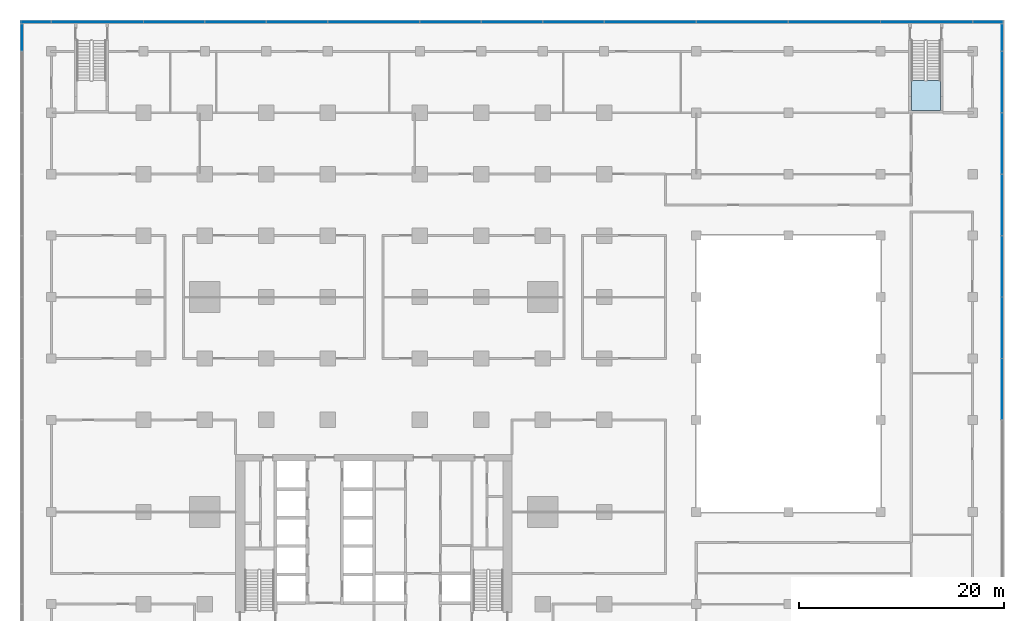
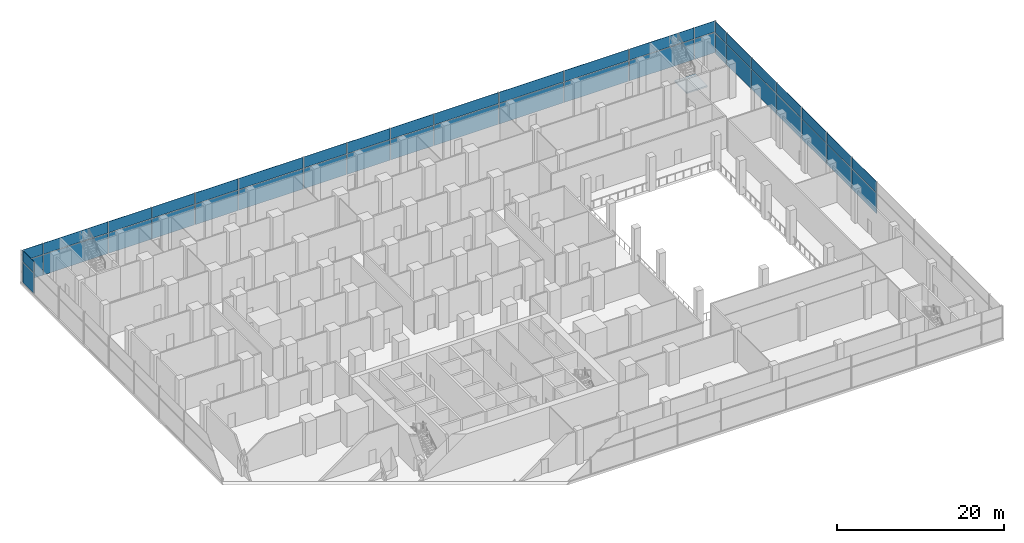
# One storey, part 11 of 22: 44 plates, 1 slab, 4 elements without a shape of their own.
"""IFC4 building model written with IfcOpenShell, lengths in metres."""

from ifc_helpers import new_model, si_unit, direction, frame, origin, origin_2d, place, context, subcontext, project, spatial, polyline, rectangle, outline, extrude, material, layer, layer_set, type_object, element, aggregate, save


model = new_model("IFC4")

# Units and contexts
model_context = context("Model", 3, precision=1e-05, world=origin(), true_north=direction((0.0, 1.0)))
body_context = subcontext(model_context, "Body", "Model", "MODEL_VIEW")
ifc_project = project(units=[si_unit("LENGTHUNIT", "METRE"), si_unit("AREAUNIT", "SQUARE_METRE"), si_unit("VOLUMEUNIT", "CUBIC_METRE"), si_unit("PLANEANGLEUNIT", "RADIAN"), si_unit("MASSUNIT", "GRAM", prefix="KILO")], contexts=[model_context])

# Site, building, storey
site_placement = place(None, origin())
site = spatial("IfcSite", under=ifc_project, at=site_placement, CompositionType="ELEMENT")
building_placement = place(site_placement, origin())
building = spatial("IfcBuilding", under=site, at=building_placement, Name="Finial Court Residences", CompositionType="ELEMENT")
storey_placement = place(building_placement, frame((0.0, 0.0, 18.5)))
storey = spatial("IfcBuildingStorey", under=building, at=storey_placement, Name="L03", CompositionType="ELEMENT", Elevation=18.5)

# Curtain wall, plates
ifc_material_1 = material(Name="Bronze anodised aluminium", Category="aluminium")
curtain_wall_type = type_object("IfcCurtainWallType", Name="Podium curtain wall", PredefinedType="NOTDEFINED", material=ifc_material_1)
curtain_wall_1_placement = place(storey_placement, origin())
curtain_wall_1 = element("IfcCurtainWall", 1, at=curtain_wall_1_placement, inside=storey, type_object=curtain_wall_type, Name="E-L03-CW-N1", PredefinedType="NOTDEFINED")
ifc_material_2 = material(Name="Clear low-e glass", Category="glass")
ifc_layer_1 = layer(ifc_material_2, 0.035888671875)
ifc_layer_set_1 = layer_set([ifc_layer_1], Name="CW5 vision glass 36")
plate_type = type_object("IfcPlateType", Name="CW5 vision glass 36", PredefinedType="CURTAIN_PANEL", material=ifc_layer_set_1)
plate_1_placement = place(storey_placement, frame((-32.97998046875, 34.35009765625, 0.0), z_axis=(0.0, 0.0, 1.0), x_axis=(1.0, 0.0, 0.0)))
plate_1 = element("IfcPlate", 2, at=plate_1_placement, type_object=plate_type, Name="CW5 glass 1.1", PredefinedType="CURTAIN_PANEL", context=body_context, shape_type="SweptSolid", body=[
    extrude(rectangle(XDim=2.8798828125, YDim=0.035888671875, at=origin_2d()), origin(), (0.0, 0.0, 1.0), 2.9599609375),
])
plate_2_placement = place(storey_placement, frame((-32.97998046875, 34.35009765625, 3.0400390625), z_axis=(0.0, 0.0, 1.0), x_axis=(1.0, 0.0, 0.0)))
plate_2 = element("IfcPlate", 3, at=plate_2_placement, type_object=plate_type, Name="CW5 glass 1.2", PredefinedType="CURTAIN_PANEL", context=body_context, shape_type="SweptSolid", body=[
    extrude(rectangle(XDim=2.8798828125, YDim=0.035888671875, at=origin_2d()), origin(), (0.0, 0.0, 1.0), 1.610107421875),
])
plate_3_placement = place(storey_placement, frame((-27.0, 34.35009765625, 0.0), z_axis=(0.0, 0.0, 1.0), x_axis=(1.0, 0.0, 0.0)))
plate_3 = element("IfcPlate", 4, at=plate_3_placement, type_object=plate_type, Name="CW5 glass 2.1", PredefinedType="CURTAIN_PANEL", context=body_context, shape_type="SweptSolid", body=[
    extrude(rectangle(XDim=8.919921875, YDim=0.035888671875, at=origin_2d()), origin(), (0.0, 0.0, 1.0), 2.9599609375),
])
plate_4_placement = place(storey_placement, frame((-27.0, 34.35009765625, 3.0400390625), z_axis=(0.0, 0.0, 1.0), x_axis=(1.0, 0.0, 0.0)))
plate_4 = element("IfcPlate", 5, at=plate_4_placement, type_object=plate_type, Name="CW5 glass 2.2", PredefinedType="CURTAIN_PANEL", context=body_context, shape_type="SweptSolid", body=[
    extrude(rectangle(XDim=8.919921875, YDim=0.035888671875, at=origin_2d()), origin(), (0.0, 0.0, 1.0), 1.610107421875),
])
plate_5_placement = place(storey_placement, frame((-19.5, 34.35009765625, 0.0), z_axis=(0.0, 0.0, 1.0), x_axis=(1.0, 0.0, 0.0)))
plate_5 = element("IfcPlate", 6, at=plate_5_placement, type_object=plate_type, Name="CW5 glass 3.1", PredefinedType="CURTAIN_PANEL", context=body_context, shape_type="SweptSolid", body=[
    extrude(rectangle(XDim=5.919921875, YDim=0.035888671875, at=origin_2d()), origin(), (0.0, 0.0, 1.0), 2.9599609375),
])
plate_6_placement = place(storey_placement, frame((-19.5, 34.35009765625, 3.0400390625), z_axis=(0.0, 0.0, 1.0), x_axis=(1.0, 0.0, 0.0)))
plate_6 = element("IfcPlate", 7, at=plate_6_placement, type_object=plate_type, Name="CW5 glass 3.2", PredefinedType="CURTAIN_PANEL", context=body_context, shape_type="SweptSolid", body=[
    extrude(rectangle(XDim=5.919921875, YDim=0.035888671875, at=origin_2d()), origin(), (0.0, 0.0, 1.0), 1.610107421875),
])
plate_7_placement = place(storey_placement, frame((-13.5, 34.35009765625, 0.0), z_axis=(0.0, 0.0, 1.0), x_axis=(1.0, 0.0, 0.0)))
plate_7 = element("IfcPlate", 8, at=plate_7_placement, type_object=plate_type, Name="CW5 glass 4.1", PredefinedType="CURTAIN_PANEL", context=body_context, shape_type="SweptSolid", body=[
    extrude(rectangle(XDim=5.919921875, YDim=0.035888671875, at=origin_2d()), origin(), (0.0, 0.0, 1.0), 2.9599609375),
])
plate_8_placement = place(storey_placement, frame((-13.5, 34.35009765625, 3.0400390625), z_axis=(0.0, 0.0, 1.0), x_axis=(1.0, 0.0, 0.0)))
plate_8 = element("IfcPlate", 9, at=plate_8_placement, type_object=plate_type, Name="CW5 glass 4.2", PredefinedType="CURTAIN_PANEL", context=body_context, shape_type="SweptSolid", body=[
    extrude(rectangle(XDim=5.919921875, YDim=0.035888671875, at=origin_2d()), origin(), (0.0, 0.0, 1.0), 1.610107421875),
])
plate_9_placement = place(storey_placement, frame((-7.5, 34.35009765625, 0.0), z_axis=(0.0, 0.0, 1.0), x_axis=(1.0, 0.0, 0.0)))
plate_9 = element("IfcPlate", 10, at=plate_9_placement, type_object=plate_type, Name="CW5 glass 5.1", PredefinedType="CURTAIN_PANEL", context=body_context, shape_type="SweptSolid", body=[
    extrude(rectangle(XDim=5.919921875, YDim=0.035888671875, at=origin_2d()), origin(), (0.0, 0.0, 1.0), 2.9599609375),
])
plate_10_placement = place(storey_placement, frame((-7.5, 34.35009765625, 3.0400390625), z_axis=(0.0, 0.0, 1.0), x_axis=(1.0, 0.0, 0.0)))
plate_10 = element("IfcPlate", 11, at=plate_10_placement, type_object=plate_type, Name="CW5 glass 5.2", PredefinedType="CURTAIN_PANEL", context=body_context, shape_type="SweptSolid", body=[
    extrude(rectangle(XDim=5.919921875, YDim=0.035888671875, at=origin_2d()), origin(), (0.0, 0.0, 1.0), 1.610107421875),
])
plate_11_placement = place(storey_placement, frame((0.0, 34.35009765625, 0.0), z_axis=(0.0, 0.0, 1.0), x_axis=(1.0, 0.0, 0.0)))
plate_11 = element("IfcPlate", 12, at=plate_11_placement, type_object=plate_type, Name="CW5 glass 6.1", PredefinedType="CURTAIN_PANEL", context=body_context, shape_type="SweptSolid", body=[
    extrude(rectangle(XDim=8.919921875, YDim=0.035888671875, at=origin_2d()), origin(), (0.0, 0.0, 1.0), 2.9599609375),
])
plate_12_placement = place(storey_placement, frame((0.0, 34.35009765625, 3.0400390625), z_axis=(0.0, 0.0, 1.0), x_axis=(1.0, 0.0, 0.0)))
plate_12 = element("IfcPlate", 13, at=plate_12_placement, type_object=plate_type, Name="CW5 glass 6.2", PredefinedType="CURTAIN_PANEL", context=body_context, shape_type="SweptSolid", body=[
    extrude(rectangle(XDim=8.919921875, YDim=0.035888671875, at=origin_2d()), origin(), (0.0, 0.0, 1.0), 1.610107421875),
])
plate_13_placement = place(storey_placement, frame((7.5, 34.35009765625, 0.0), z_axis=(0.0, 0.0, 1.0), x_axis=(1.0, 0.0, 0.0)))
plate_13 = element("IfcPlate", 14, at=plate_13_placement, type_object=plate_type, Name="CW5 glass 7.1", PredefinedType="CURTAIN_PANEL", context=body_context, shape_type="SweptSolid", body=[
    extrude(rectangle(XDim=5.919921875, YDim=0.035888671875, at=origin_2d()), origin(), (0.0, 0.0, 1.0), 2.9599609375),
])
plate_14_placement = place(storey_placement, frame((7.5, 34.35009765625, 3.0400390625), z_axis=(0.0, 0.0, 1.0), x_axis=(1.0, 0.0, 0.0)))
plate_14 = element("IfcPlate", 15, at=plate_14_placement, type_object=plate_type, Name="CW5 glass 7.2", PredefinedType="CURTAIN_PANEL", context=body_context, shape_type="SweptSolid", body=[
    extrude(rectangle(XDim=5.919921875, YDim=0.035888671875, at=origin_2d()), origin(), (0.0, 0.0, 1.0), 1.610107421875),
])
plate_15_placement = place(storey_placement, frame((13.5, 34.35009765625, 0.0), z_axis=(0.0, 0.0, 1.0), x_axis=(1.0, 0.0, 0.0)))
plate_15 = element("IfcPlate", 16, at=plate_15_placement, type_object=plate_type, Name="CW5 glass 8.1", PredefinedType="CURTAIN_PANEL", context=body_context, shape_type="SweptSolid", body=[
    extrude(rectangle(XDim=5.919921875, YDim=0.035888671875, at=origin_2d()), origin(), (0.0, 0.0, 1.0), 2.9599609375),
])
plate_16_placement = place(storey_placement, frame((13.5, 34.35009765625, 3.0400390625), z_axis=(0.0, 0.0, 1.0), x_axis=(1.0, 0.0, 0.0)))
plate_16 = element("IfcPlate", 17, at=plate_16_placement, type_object=plate_type, Name="CW5 glass 8.2", PredefinedType="CURTAIN_PANEL", context=body_context, shape_type="SweptSolid", body=[
    extrude(rectangle(XDim=5.919921875, YDim=0.035888671875, at=origin_2d()), origin(), (0.0, 0.0, 1.0), 1.610107421875),
])
plate_17_placement = place(storey_placement, frame((19.5, 34.35009765625, 0.0), z_axis=(0.0, 0.0, 1.0), x_axis=(1.0, 0.0, 0.0)))
plate_17 = element("IfcPlate", 18, at=plate_17_placement, type_object=plate_type, Name="CW5 glass 9.1", PredefinedType="CURTAIN_PANEL", context=body_context, shape_type="SweptSolid", body=[
    extrude(rectangle(XDim=5.919921875, YDim=0.035888671875, at=origin_2d()), origin(), (0.0, 0.0, 1.0), 2.9599609375),
])
plate_18_placement = place(storey_placement, frame((19.5, 34.35009765625, 3.0400390625), z_axis=(0.0, 0.0, 1.0), x_axis=(1.0, 0.0, 0.0)))
plate_18 = element("IfcPlate", 19, at=plate_18_placement, type_object=plate_type, Name="CW5 glass 9.2", PredefinedType="CURTAIN_PANEL", context=body_context, shape_type="SweptSolid", body=[
    extrude(rectangle(XDim=5.919921875, YDim=0.035888671875, at=origin_2d()), origin(), (0.0, 0.0, 1.0), 1.610107421875),
])
plate_19_placement = place(storey_placement, frame((27.0, 34.35009765625, 0.0), z_axis=(0.0, 0.0, 1.0), x_axis=(1.0, 0.0, 0.0)))
plate_19 = element("IfcPlate", 20, at=plate_19_placement, type_object=plate_type, Name="CW5 glass 10.1", PredefinedType="CURTAIN_PANEL", context=body_context, shape_type="SweptSolid", body=[
    extrude(rectangle(XDim=8.919921875, YDim=0.035888671875, at=origin_2d()), origin(), (0.0, 0.0, 1.0), 2.9599609375),
])
plate_20_placement = place(storey_placement, frame((27.0, 34.35009765625, 3.0400390625), z_axis=(0.0, 0.0, 1.0), x_axis=(1.0, 0.0, 0.0)))
plate_20 = element("IfcPlate", 21, at=plate_20_placement, type_object=plate_type, Name="CW5 glass 10.2", PredefinedType="CURTAIN_PANEL", context=body_context, shape_type="SweptSolid", body=[
    extrude(rectangle(XDim=8.919921875, YDim=0.035888671875, at=origin_2d()), origin(), (0.0, 0.0, 1.0), 1.610107421875),
])
plate_21_placement = place(storey_placement, frame((36.0, 34.35009765625, 0.0), z_axis=(0.0, 0.0, 1.0), x_axis=(1.0, 0.0, 0.0)))
plate_21 = element("IfcPlate", 22, at=plate_21_placement, type_object=plate_type, Name="CW5 glass 11.1", PredefinedType="CURTAIN_PANEL", context=body_context, shape_type="SweptSolid", body=[
    extrude(rectangle(XDim=8.919921875, YDim=0.035888671875, at=origin_2d()), origin(), (0.0, 0.0, 1.0), 2.9599609375),
])
plate_22_placement = place(storey_placement, frame((36.0, 34.35009765625, 3.0400390625), z_axis=(0.0, 0.0, 1.0), x_axis=(1.0, 0.0, 0.0)))
plate_22 = element("IfcPlate", 23, at=plate_22_placement, type_object=plate_type, Name="CW5 glass 11.2", PredefinedType="CURTAIN_PANEL", context=body_context, shape_type="SweptSolid", body=[
    extrude(rectangle(XDim=8.919921875, YDim=0.035888671875, at=origin_2d()), origin(), (0.0, 0.0, 1.0), 1.610107421875),
])
plate_23_placement = place(storey_placement, frame((45.0, 34.35009765625, 0.0), z_axis=(0.0, 0.0, 1.0), x_axis=(1.0, 0.0, 0.0)))
plate_23 = element("IfcPlate", 24, at=plate_23_placement, type_object=plate_type, Name="CW5 glass 12.1", PredefinedType="CURTAIN_PANEL", context=body_context, shape_type="SweptSolid", body=[
    extrude(rectangle(XDim=8.919921875, YDim=0.035888671875, at=origin_2d()), origin(), (0.0, 0.0, 1.0), 2.9599609375),
])
plate_24_placement = place(storey_placement, frame((45.0, 34.35009765625, 3.0400390625), z_axis=(0.0, 0.0, 1.0), x_axis=(1.0, 0.0, 0.0)))
plate_24 = element("IfcPlate", 25, at=plate_24_placement, type_object=plate_type, Name="CW5 glass 12.2", PredefinedType="CURTAIN_PANEL", context=body_context, shape_type="SweptSolid", body=[
    extrude(rectangle(XDim=8.919921875, YDim=0.035888671875, at=origin_2d()), origin(), (0.0, 0.0, 1.0), 1.610107421875),
])
plate_25_placement = place(storey_placement, frame((54.0, 34.35009765625, 0.0), z_axis=(0.0, 0.0, 1.0), x_axis=(1.0, 0.0, 0.0)))
plate_25 = element("IfcPlate", 26, at=plate_25_placement, type_object=plate_type, Name="CW5 glass 13.1", PredefinedType="CURTAIN_PANEL", context=body_context, shape_type="SweptSolid", body=[
    extrude(rectangle(XDim=8.919921875, YDim=0.035888671875, at=origin_2d()), origin(), (0.0, 0.0, 1.0), 2.9599609375),
])
plate_26_placement = place(storey_placement, frame((54.0, 34.35009765625, 3.0400390625), z_axis=(0.0, 0.0, 1.0), x_axis=(1.0, 0.0, 0.0)))
plate_26 = element("IfcPlate", 27, at=plate_26_placement, type_object=plate_type, Name="CW5 glass 13.2", PredefinedType="CURTAIN_PANEL", context=body_context, shape_type="SweptSolid", body=[
    extrude(rectangle(XDim=8.919921875, YDim=0.035888671875, at=origin_2d()), origin(), (0.0, 0.0, 1.0), 1.610107421875),
])
plate_27_placement = place(storey_placement, frame((59.97998046875, 34.35009765625, 0.0), z_axis=(0.0, 0.0, 1.0), x_axis=(1.0, 0.0, 0.0)))
plate_27 = element("IfcPlate", 28, at=plate_27_placement, type_object=plate_type, Name="CW5 glass 14.1", PredefinedType="CURTAIN_PANEL", context=body_context, shape_type="SweptSolid", body=[
    extrude(rectangle(XDim=2.8798828125, YDim=0.035888671875, at=origin_2d()), origin(), (0.0, 0.0, 1.0), 2.9599609375),
])
plate_28_placement = place(storey_placement, frame((59.97998046875, 34.35009765625, 3.0400390625), z_axis=(0.0, 0.0, 1.0), x_axis=(1.0, 0.0, 0.0)))
plate_28 = element("IfcPlate", 29, at=plate_28_placement, type_object=plate_type, Name="CW5 glass 14.2", PredefinedType="CURTAIN_PANEL", context=body_context, shape_type="SweptSolid", body=[
    extrude(rectangle(XDim=2.8798828125, YDim=0.035888671875, at=origin_2d()), origin(), (0.0, 0.0, 1.0), 1.610107421875),
])
aggregate(curtain_wall_1, [plate_1, plate_2, plate_3, plate_4, plate_5, plate_6, plate_7, plate_8, plate_9, plate_10, plate_11, plate_12, plate_13, plate_14, plate_15, plate_16, plate_17, plate_18, plate_19, plate_20, plate_21, plate_22, plate_23, plate_24, plate_25, plate_26, plate_27, plate_28])

curtain_wall_2_placement = place(storey_placement, origin())
curtain_wall_2 = element("IfcCurtainWall", 30, at=curtain_wall_2_placement, inside=storey, type_object=curtain_wall_type, Name="E-L03-CW-E2", PredefinedType="NOTDEFINED")
plate_29_placement = place(storey_placement, frame((61.35009765625, -1.5, 0.0), z_axis=(0.0, 0.0, 1.0), x_axis=(0.0, 1.0, 0.0)))
plate_29 = element("IfcPlate", 31, at=plate_29_placement, type_object=plate_type, Name="CW5 glass 5.1", PredefinedType="CURTAIN_PANEL", context=body_context, shape_type="SweptSolid", body=[
    extrude(rectangle(XDim=5.919921875, YDim=0.035888671875, at=origin_2d()), origin(), (0.0, 0.0, 1.0), 2.9599609375),
])
plate_30_placement = place(storey_placement, frame((61.35009765625, -1.5, 3.0400390625), z_axis=(0.0, 0.0, 1.0), x_axis=(0.0, 1.0, 0.0)))
plate_30 = element("IfcPlate", 32, at=plate_30_placement, type_object=plate_type, Name="CW5 glass 5.2", PredefinedType="CURTAIN_PANEL", context=body_context, shape_type="SweptSolid", body=[
    extrude(rectangle(XDim=5.919921875, YDim=0.035888671875, at=origin_2d()), origin(), (0.0, 0.0, 1.0), 1.610107421875),
])
plate_31_placement = place(storey_placement, frame((61.35009765625, 4.5, 0.0), z_axis=(0.0, 0.0, 1.0), x_axis=(0.0, 1.0, 0.0)))
plate_31 = element("IfcPlate", 33, at=plate_31_placement, type_object=plate_type, Name="CW5 glass 6.1", PredefinedType="CURTAIN_PANEL", context=body_context, shape_type="SweptSolid", body=[
    extrude(rectangle(XDim=5.919921875, YDim=0.035888671875, at=origin_2d()), origin(), (0.0, 0.0, 1.0), 2.9599609375),
])
plate_32_placement = place(storey_placement, frame((61.35009765625, 4.5, 3.0400390625), z_axis=(0.0, 0.0, 1.0), x_axis=(0.0, 1.0, 0.0)))
plate_32 = element("IfcPlate", 34, at=plate_32_placement, type_object=plate_type, Name="CW5 glass 6.2", PredefinedType="CURTAIN_PANEL", context=body_context, shape_type="SweptSolid", body=[
    extrude(rectangle(XDim=5.919921875, YDim=0.035888671875, at=origin_2d()), origin(), (0.0, 0.0, 1.0), 1.610107421875),
])
plate_33_placement = place(storey_placement, frame((61.35009765625, 10.5, 0.0), z_axis=(0.0, 0.0, 1.0), x_axis=(0.0, 1.0, 0.0)))
plate_33 = element("IfcPlate", 35, at=plate_33_placement, type_object=plate_type, Name="CW5 glass 7.1", PredefinedType="CURTAIN_PANEL", context=body_context, shape_type="SweptSolid", body=[
    extrude(rectangle(XDim=5.919921875, YDim=0.035888671875, at=origin_2d()), origin(), (0.0, 0.0, 1.0), 2.9599609375),
])
plate_34_placement = place(storey_placement, frame((61.35009765625, 10.5, 3.0400390625), z_axis=(0.0, 0.0, 1.0), x_axis=(0.0, 1.0, 0.0)))
plate_34 = element("IfcPlate", 36, at=plate_34_placement, type_object=plate_type, Name="CW5 glass 7.2", PredefinedType="CURTAIN_PANEL", context=body_context, shape_type="SweptSolid", body=[
    extrude(rectangle(XDim=5.919921875, YDim=0.035888671875, at=origin_2d()), origin(), (0.0, 0.0, 1.0), 1.610107421875),
])
plate_35_placement = place(storey_placement, frame((61.35009765625, 16.5, 0.0), z_axis=(0.0, 0.0, 1.0), x_axis=(0.0, 1.0, 0.0)))
plate_35 = element("IfcPlate", 37, at=plate_35_placement, type_object=plate_type, Name="CW5 glass 8.1", PredefinedType="CURTAIN_PANEL", context=body_context, shape_type="SweptSolid", body=[
    extrude(rectangle(XDim=5.919921875, YDim=0.035888671875, at=origin_2d()), origin(), (0.0, 0.0, 1.0), 2.9599609375),
])
plate_36_placement = place(storey_placement, frame((61.35009765625, 16.5, 3.0400390625), z_axis=(0.0, 0.0, 1.0), x_axis=(0.0, 1.0, 0.0)))
plate_36 = element("IfcPlate", 38, at=plate_36_placement, type_object=plate_type, Name="CW5 glass 8.2", PredefinedType="CURTAIN_PANEL", context=body_context, shape_type="SweptSolid", body=[
    extrude(rectangle(XDim=5.919921875, YDim=0.035888671875, at=origin_2d()), origin(), (0.0, 0.0, 1.0), 1.610107421875),
])
plate_37_placement = place(storey_placement, frame((61.35009765625, 22.5, 0.0), z_axis=(0.0, 0.0, 1.0), x_axis=(0.0, 1.0, 0.0)))
plate_37 = element("IfcPlate", 39, at=plate_37_placement, type_object=plate_type, Name="CW5 glass 9.1", PredefinedType="CURTAIN_PANEL", context=body_context, shape_type="SweptSolid", body=[
    extrude(rectangle(XDim=5.919921875, YDim=0.035888671875, at=origin_2d()), origin(), (0.0, 0.0, 1.0), 2.9599609375),
])
plate_38_placement = place(storey_placement, frame((61.35009765625, 22.5, 3.0400390625), z_axis=(0.0, 0.0, 1.0), x_axis=(0.0, 1.0, 0.0)))
plate_38 = element("IfcPlate", 40, at=plate_38_placement, type_object=plate_type, Name="CW5 glass 9.2", PredefinedType="CURTAIN_PANEL", context=body_context, shape_type="SweptSolid", body=[
    extrude(rectangle(XDim=5.919921875, YDim=0.035888671875, at=origin_2d()), origin(), (0.0, 0.0, 1.0), 1.610107421875),
])
plate_39_placement = place(storey_placement, frame((61.35009765625, 28.5, 0.0), z_axis=(0.0, 0.0, 1.0), x_axis=(0.0, 1.0, 0.0)))
plate_39 = element("IfcPlate", 41, at=plate_39_placement, type_object=plate_type, Name="CW5 glass 10.1", PredefinedType="CURTAIN_PANEL", context=body_context, shape_type="SweptSolid", body=[
    extrude(rectangle(XDim=5.919921875, YDim=0.035888671875, at=origin_2d()), origin(), (0.0, 0.0, 1.0), 2.9599609375),
])
plate_40_placement = place(storey_placement, frame((61.35009765625, 28.5, 3.0400390625), z_axis=(0.0, 0.0, 1.0), x_axis=(0.0, 1.0, 0.0)))
plate_40 = element("IfcPlate", 42, at=plate_40_placement, type_object=plate_type, Name="CW5 glass 10.2", PredefinedType="CURTAIN_PANEL", context=body_context, shape_type="SweptSolid", body=[
    extrude(rectangle(XDim=5.919921875, YDim=0.035888671875, at=origin_2d()), origin(), (0.0, 0.0, 1.0), 1.610107421875),
])
plate_41_placement = place(storey_placement, frame((61.35009765625, 32.8486328125, 0.0), z_axis=(0.0, 0.0, 1.0), x_axis=(0.0, 1.0, 0.0)))
plate_41 = element("IfcPlate", 43, at=plate_41_placement, type_object=plate_type, Name="CW5 glass 11.1", PredefinedType="CURTAIN_PANEL", context=body_context, shape_type="SweptSolid", body=[
    extrude(rectangle(XDim=2.617431640625, YDim=0.035888671875, at=origin_2d()), origin(), (0.0, 0.0, 1.0), 2.9599609375),
])
plate_42_placement = place(storey_placement, frame((61.35009765625, 32.8486328125, 3.0400390625), z_axis=(0.0, 0.0, 1.0), x_axis=(0.0, 1.0, 0.0)))
plate_42 = element("IfcPlate", 44, at=plate_42_placement, type_object=plate_type, Name="CW5 glass 11.2", PredefinedType="CURTAIN_PANEL", context=body_context, shape_type="SweptSolid", body=[
    extrude(rectangle(XDim=2.617431640625, YDim=0.035888671875, at=origin_2d()), origin(), (0.0, 0.0, 1.0), 1.610107421875),
])
aggregate(curtain_wall_2, [plate_29, plate_30, plate_31, plate_32, plate_33, plate_34, plate_35, plate_36, plate_37, plate_38, plate_39, plate_40, plate_41, plate_42])

curtain_wall_3_placement = place(storey_placement, origin())
curtain_wall_3 = element("IfcCurtainWall", 45, at=curtain_wall_3_placement, inside=storey, type_object=curtain_wall_type, Name="E-L03-CW-W4", PredefinedType="NOTDEFINED")
plate_43_placement = place(storey_placement, frame((-34.35009765625, 32.8486328125, 0.0), z_axis=(0.0, 0.0, 1.0), x_axis=(0.0, 1.0, 0.0)))
plate_43 = element("IfcPlate", 46, at=plate_43_placement, type_object=plate_type, Name="CW5 glass 11.1", PredefinedType="CURTAIN_PANEL", context=body_context, shape_type="SweptSolid", body=[
    extrude(rectangle(XDim=2.617431640625, YDim=0.035888671875, at=origin_2d()), origin(), (0.0, 0.0, 1.0), 2.9599609375),
])
plate_44_placement = place(storey_placement, frame((-34.35009765625, 32.8486328125, 3.0400390625), z_axis=(0.0, 0.0, 1.0), x_axis=(0.0, 1.0, 0.0)))
plate_44 = element("IfcPlate", 47, at=plate_44_placement, type_object=plate_type, Name="CW5 glass 11.2", PredefinedType="CURTAIN_PANEL", context=body_context, shape_type="SweptSolid", body=[
    extrude(rectangle(XDim=2.617431640625, YDim=0.035888671875, at=origin_2d()), origin(), (0.0, 0.0, 1.0), 1.610107421875),
])
aggregate(curtain_wall_3, [plate_43, plate_44])

# Stair, slab
ifc_material_3 = material(Name="Concrete C50/60", Category="concrete")
stair_type = type_object("IfcStairType", Name="Exit stair 30 risers of 166.7 mm", PredefinedType="HALF_TURN_STAIR", material=ifc_material_3)
stair_placement = place(storey_placement, origin())
stair = element("IfcStair", 48, at=stair_placement, inside=storey, type_object=stair_type, Name="L03 Exit Stair 5", PredefinedType="HALF_TURN_STAIR")
ifc_layer_2 = layer(ifc_material_3, 0.199951171875)
ifc_layer_set_2 = layer_set([ifc_layer_2], Name="Exit stair landing")
slab_type = type_object("IfcSlabType", Name="Exit stair landing", PredefinedType="LANDING", material=ifc_layer_set_2)
slab_placement = place(storey_placement, frame((0.0, 0.0, 2.300048828125)))
slab = element("IfcSlab", 49, at=slab_placement, type_object=slab_type, Name="ST-5 landing 1", PredefinedType="LANDING", context=body_context, shape_type="SweptSolid", body=[
    extrude(outline(polyline([(52.5, 28.6298828125), (52.5, 25.719970703125), (55.35009765625, 25.719970703125), (55.35009765625, 28.6298828125), (52.5, 28.6298828125)])), origin(), (0.0, 0.0, 1.0), 0.199951171875),
])
aggregate(stair, [slab])

save(model, "model.ifc")
